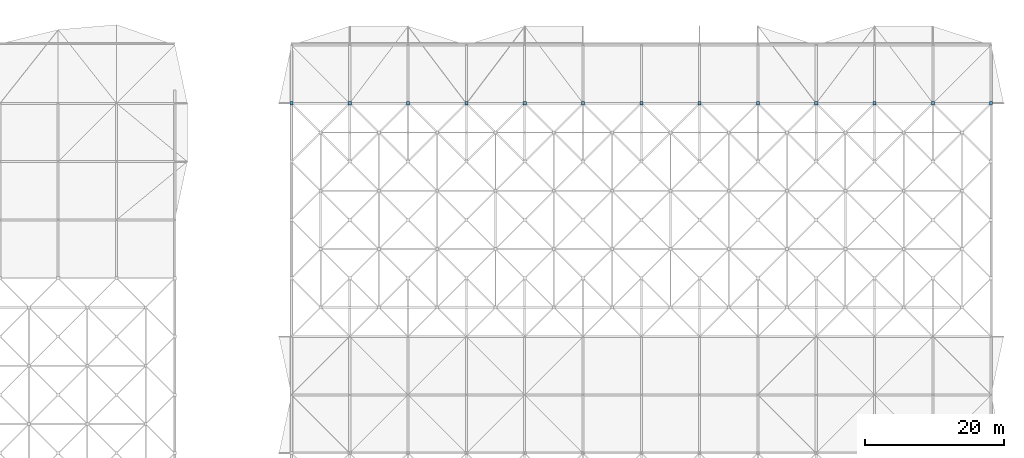
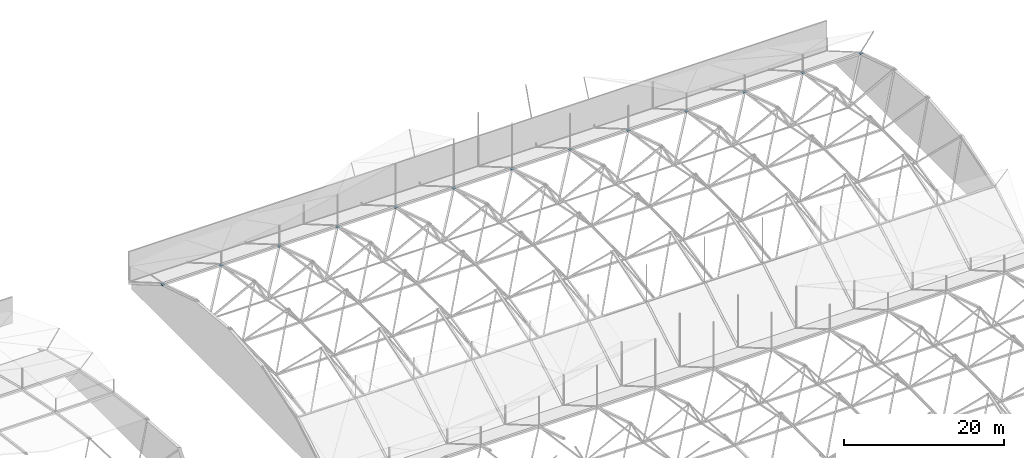
# One storey, part 108 of 111: 13 discrete accessories.
"""IFC4 building model written with IfcOpenShell, lengths in metres."""

from ifc_helpers import new_model, si_unit, direction, frame, origin, origin_2d, place, context, subcontext, project, spatial, rectangle, extrude, material, layer, layer_set, type_object, element, save


model = new_model("IFC4")

# Units and contexts
model_context = context("Model", 3, precision=1e-05, world=origin(), true_north=direction((0.0, 1.0)))
body_context = subcontext(model_context, "Body", "Model", "MODEL_VIEW")
ifc_project = project(units=[si_unit("LENGTHUNIT", "METRE"), si_unit("AREAUNIT", "SQUARE_METRE"), si_unit("VOLUMEUNIT", "CUBIC_METRE"), si_unit("PLANEANGLEUNIT", "RADIAN"), si_unit("MASSUNIT", "GRAM", prefix="KILO")], contexts=[model_context])

# Site, building, storey
site_placement = place(None, origin())
site = spatial("IfcSite", under=ifc_project, at=site_placement, CompositionType="ELEMENT")
building_placement = place(site_placement, origin())
building = spatial("IfcBuilding", under=site, at=building_placement, Name="Rain Tree Exposition and Congress Centre", CompositionType="ELEMENT")
storey_placement = place(building_placement, frame((0.0, 0.0, 19.5)))
storey = spatial("IfcBuildingStorey", under=building, at=storey_placement, Name="RF", CompositionType="ELEMENT", Elevation=19.5)

# Discrete accessories
ifc_material = material(Name="Steel plate S355J2", Category="steel")
ifc_layer = layer(ifc_material, 0.02001953125)
ifc_layer_set = layer_set([ifc_layer], Name="Steel plate S355J2")
discrete_accessory_type = type_object("IfcDiscreteAccessoryType", Name="Brace node plate 450x450x20", PredefinedType="BRACKET", material=ifc_layer_set)
for number, where, z_axis, x_axis, name in (
    (1, (142.800048828125, 193.199951171875, 5.23388671875), (0.0, 0.0, 1.0), (1.0, 0.0, 0.0), "Brace node plate 450"),
    (2, (151.199951171875, 193.199951171875, 5.23388671875), (0.0, 0.0, 1.0), (1.0, 0.0, 0.0), "Brace node plate 450"),
    (3, (159.60009765625, 193.199951171875, 5.23388671875), (0.0, 0.0, 1.0), (1.0, 0.0, 0.0), "Brace node plate 450"),
    (4, (168.0, 193.199951171875, 5.23388671875), (0.0, 0.0, 1.0), (1.0, 0.0, 0.0), "Brace node plate 450"),
    (5, (176.39990234375, 193.199951171875, 5.23388671875), (0.0, 0.0, 1.0), (1.0, 0.0, 0.0), "Brace node plate 450"),
    (6, (184.800048828125, 193.199951171875, 5.23388671875), (0.0, 0.0, 1.0), (1.0, 0.0, 0.0), "Brace node plate 450"),
    (7, (193.199951171875, 193.199951171875, 5.23388671875), (0.0, 0.0, 1.0), (1.0, 0.0, 0.0), "Brace node plate 450"),
    (8, (201.60009765625, 193.199951171875, 5.23388671875), (0.0, 0.0, 1.0), (1.0, 0.0, 0.0), "Brace node plate 450"),
    (9, (210.0, 193.199951171875, 5.23388671875), (0.0, 0.0, 1.0), (1.0, 0.0, 0.0), "Brace node plate 450"),
    (10, (218.39990234375, 193.199951171875, 5.23388671875), (0.0, 0.0, 1.0), (1.0, 0.0, 0.0), "Brace node plate 450"),
    (11, (226.800048828125, 193.199951171875, 5.23388671875), (0.0, 0.0, 1.0), (1.0, 0.0, 0.0), "Brace node plate 450"),
    (12, (235.199951171875, 193.199951171875, 5.23388671875), (0.0, 0.0, 1.0), (1.0, 0.0, 0.0), "Brace node plate 450"),
    (13, (243.60009765625, 193.199951171875, 5.23388671875), (0.0, 0.0, 1.0), (1.0, 0.0, 0.0), "Brace node plate 450"),
):
    element("IfcDiscreteAccessory", number, at=place(storey_placement, frame(where, z_axis=z_axis, x_axis=x_axis)), inside=storey, type_object=discrete_accessory_type, Name=name, PredefinedType="BRACKET", context=body_context, shape_type="SweptSolid", body=[
        extrude(rectangle(XDim=0.449951171875, YDim=0.449951171875, at=origin_2d()), origin(), (0.0, 0.0, 1.0), 0.02001953125),
    ])

save(model, "model.ifc")
